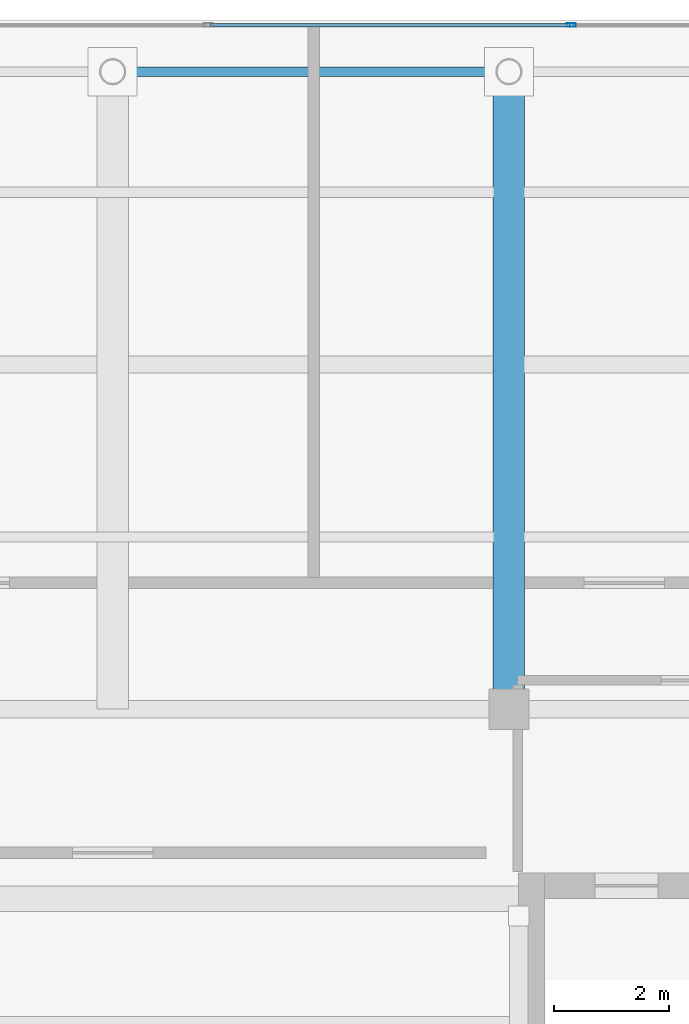
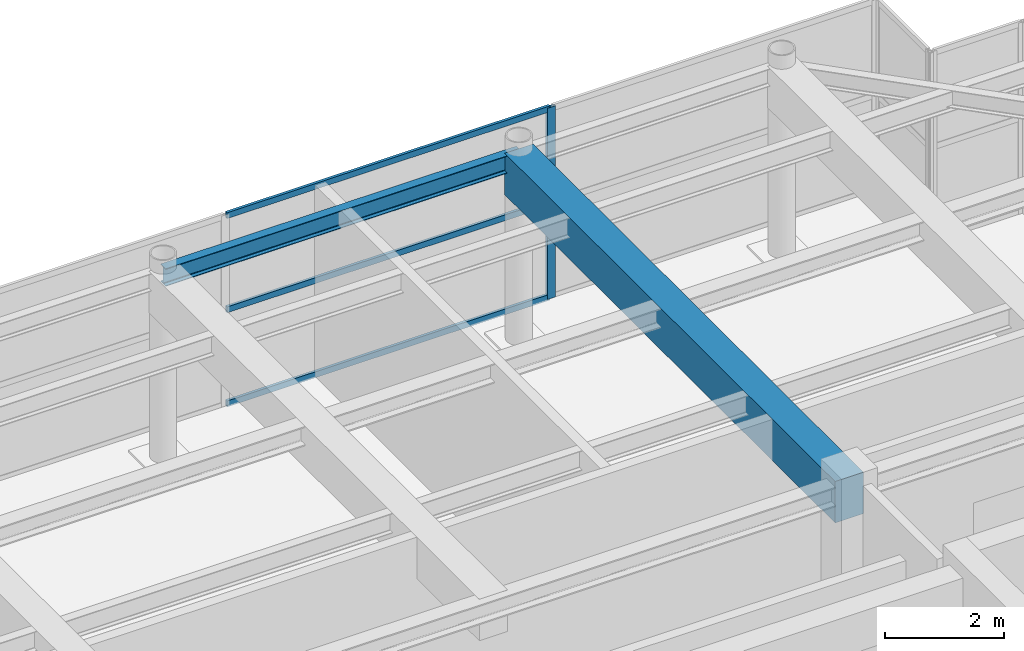
# One storey, part 25 of 32: 4 members, 2 beams, 1 element without a shape of its own.
"""IFC4 building model written with IfcOpenShell, lengths in metres."""

import ifcopenshell
import ifcopenshell.guid

model = None  # the IFC model being written
_history = None  # IfcOwnerHistory: only IFC2X3 demands one
_inside = {}  # id of a spatial element -> (the spatial element, [elements in it])
_under = {}  # id of a project, library or spatial element -> (it, [spatial elements below it])
_declared = {}  # id of a project -> (the project, [libraries it declares])
_typed = {}  # id of a type object -> (the type object, [elements of that type])
_made_of = {}  # id of a material, layer set ... -> (it, [elements and type objects made of it])


def new_model(schema):
    """Start an empty IFC model of exactly this schema.

    Asked for "IFC4X3", IfcOpenShell would pick the latest addendum, in which some entities
    have other attributes; the version numbers below select the first issue.
    IFC2X3 requires an IfcOwnerHistory on every rooted entity: one is made here for all.
    """
    global model, _history
    if schema == "IFC4X3":
        model = ifcopenshell.file(schema_version=(4, 3, 0, 0))
    else:
        model = ifcopenshell.file(schema=schema)
    _inside.clear()
    _under.clear()
    _declared.clear()
    _typed.clear()
    _made_of.clear()
    _history = None
    if model.schema == "IFC2X3":
        org = make("IfcOrganization", Name="unknown")
        user = make(
            "IfcPersonAndOrganization",
            ThePerson=make("IfcPerson", FamilyName="unknown"),
            TheOrganization=org,
        )
        app = make(
            "IfcApplication",
            ApplicationDeveloper=org,
            Version="unknown",
            ApplicationFullName="unknown",
            ApplicationIdentifier="unknown",
        )
        _history = make(
            "IfcOwnerHistory",
            OwningUser=user,
            OwningApplication=app,
            ChangeAction="ADDED",
            CreationDate=0,
        )
    return model


def make(cls, **values):
    """One entity of the class cls with the attributes given. An attribute that is None is left unset."""
    return model.create_entity(
        cls, **{name: value for name, value in values.items() if value is not None}
    )


def rooted(cls, **values):
    """An entity with a GlobalId (a new one), such as an element, a storey or a relation."""
    return make(cls, GlobalId=ifcopenshell.guid.new(), OwnerHistory=_history, **values)


def si_unit(unit_type, name, prefix=None):
    """IfcSIUnit, for example si_unit("LENGTHUNIT", "METRE", prefix="MILLI")."""
    return make("IfcSIUnit", UnitType=unit_type, Prefix=prefix, Name=name)


def assignment(units):
    """IfcUnitAssignment: the units of a project."""
    return None if units is None else make("IfcUnitAssignment", Units=units)


def point(xyz):
    """IfcCartesianPoint."""
    return None if xyz is None else make("IfcCartesianPoint", Coordinates=xyz)


def direction(xyz):
    """IfcDirection."""
    return None if xyz is None else make("IfcDirection", DirectionRatios=xyz)


def frame(location, z_axis=None, x_axis=None):
    """IfcAxis2Placement3D, a coordinate frame: its origin and axes. An axis left out is left unset."""
    return make(
        "IfcAxis2Placement3D",
        Location=point(location),
        Axis=direction(z_axis),
        RefDirection=direction(x_axis),
    )


def frame_2d(location, x_axis=None):
    """IfcAxis2Placement2D, a coordinate frame in the plane: its origin and x axis."""
    return make(
        "IfcAxis2Placement2D", Location=point(location), RefDirection=direction(x_axis)
    )


def origin():
    """The frame at (0, 0, 0) with its axes left unset."""
    return frame((0.0, 0.0, 0.0))


def origin_2d():
    """The frame at (0, 0) in the plane with its x axis left unset."""
    return frame_2d((0.0, 0.0))


def place(relative_to, where):
    """IfcLocalPlacement: puts the frame where relative to a parent placement (None: the world)."""
    return make(
        "IfcLocalPlacement", PlacementRelTo=relative_to, RelativePlacement=where
    )


def context(
    kind, dimensions, precision=None, world=None, true_north=None, identifier=None
):
    """IfcGeometricRepresentationContext, for example the 3D "Model" context."""
    return make(
        "IfcGeometricRepresentationContext",
        ContextIdentifier=identifier,
        ContextType=kind,
        CoordinateSpaceDimension=dimensions,
        Precision=precision,
        WorldCoordinateSystem=world,
        TrueNorth=true_north,
    )


def subcontext(parent, identifier, kind, view, scale=None):
    """IfcGeometricRepresentationSubContext, for example "Body" below "Model"."""
    return make(
        "IfcGeometricRepresentationSubContext",
        ContextIdentifier=identifier,
        ContextType=kind,
        ParentContext=parent,
        TargetScale=scale,
        TargetView=view,
    )


def project(units=None, contexts=None):
    """IfcProject with its units and contexts."""
    return rooted(
        "IfcProject",
        Name="project",
        RepresentationContexts=contexts,
        UnitsInContext=assignment(units),
    )


def spatial(cls, under=None, at=None, **own):
    """A site, building, storey or space (cls), placed at a placement, below another one or the project."""
    s = rooted(cls, ObjectPlacement=at, **own)
    if under is not None:
        _under.setdefault(under.id(), (under, []))[1].append(s)
    return s


def profile(cls, at=None, kind="AREA", **sizes):
    """A parametric profile (cls). Its sizes go by their IFC names, for example OverallWidth=200.0."""
    return make(cls, ProfileType=kind, Position=at, **sizes)


def rectangle(**sizes):
    """IfcRectangleProfileDef."""
    return profile("IfcRectangleProfileDef", **sizes)


def hollow_rectangle(**sizes):
    """IfcRectangleHollowProfileDef."""
    return profile("IfcRectangleHollowProfileDef", **sizes)


def i_section(**sizes):
    """IfcIShapeProfileDef."""
    return profile("IfcIShapeProfileDef", **sizes)


def extrude(swept, where, along, depth):
    """IfcExtrudedAreaSolid: the profile swept, set in the frame where, extruded along a direction by depth."""
    return make(
        "IfcExtrudedAreaSolid",
        SweptArea=swept,
        Position=where,
        ExtrudedDirection=direction(along),
        Depth=depth,
    )


def shape(context_of_items, identifier, shape_type, items):
    """IfcShapeRepresentation: the items that make up one representation, for example the "Body"."""
    return make(
        "IfcShapeRepresentation",
        ContextOfItems=context_of_items,
        RepresentationIdentifier=identifier,
        RepresentationType=shape_type,
        Items=items,
    )


def source(mapping_origin, context_of_items, identifier, shape_type, items):
    """IfcRepresentationMap: a shape defined once, which mapped items show again and again."""
    return make(
        "IfcRepresentationMap",
        MappingOrigin=mapping_origin,
        MappedRepresentation=shape(context_of_items, identifier, shape_type, items),
    )


def transform(
    local_origin,
    x_axis=None,
    y_axis=None,
    z_axis=None,
    scale=None,
    scale2=None,
    scale3=None,
    uniform=True,
):
    """IfcCartesianTransformationOperator3D, or its non-uniform kind. x_axis, y_axis, z_axis: its Axis1, 2, 3."""
    if uniform:
        return make(
            "IfcCartesianTransformationOperator3D",
            Axis1=direction(x_axis),
            Axis2=direction(y_axis),
            LocalOrigin=point(local_origin),
            Scale=scale,
            Axis3=direction(z_axis),
        )
    return make(
        "IfcCartesianTransformationOperator3DnonUniform",
        Axis1=direction(x_axis),
        Axis2=direction(y_axis),
        LocalOrigin=point(local_origin),
        Scale=scale,
        Axis3=direction(z_axis),
        Scale2=scale2,
        Scale3=scale3,
    )


def mapped(mapping_source, mapping_target):
    """IfcMappedItem: shows the shape of a source again, moved by a transform."""
    return make(
        "IfcMappedItem", MappingSource=mapping_source, MappingTarget=mapping_target
    )


def material(Name=None, Category=None):
    """IfcMaterial."""
    return make("IfcMaterial", Name=Name, Category=Category)


def layer(
    of_material, thickness, ventilated=None, Name=None, Category=None, Priority=None
):
    """IfcMaterialLayer: one layer of a wall or slab, of a material (None: an air gap)."""
    return make(
        "IfcMaterialLayer",
        Material=of_material,
        LayerThickness=thickness,
        IsVentilated=ventilated,
        Name=Name,
        Category=Category,
        Priority=Priority,
    )


def layer_set(layers, Name=None):
    """IfcMaterialLayerSet."""
    return make("IfcMaterialLayerSet", MaterialLayers=layers, LayerSetName=Name)


def material_profile(
    of_material, cross_section, Name=None, Category=None, Priority=None
):
    """IfcMaterialProfile: a cross section and its material."""
    return make(
        "IfcMaterialProfile",
        Name=Name,
        Material=of_material,
        Profile=cross_section,
        Priority=Priority,
        Category=Category,
    )


def profile_set(profiles, Name=None, composite=None):
    """IfcMaterialProfileSet."""
    return make(
        "IfcMaterialProfileSet",
        Name=Name,
        MaterialProfiles=profiles,
        CompositeProfile=composite,
    )


def made_of(thing, what):
    """Note that an element or type object is made of a material, layer set ...; save() writes the relation."""
    if what is not None:
        _made_of.setdefault(what.id(), (what, []))[1].append(thing)
    return thing


def type_object(cls, material=None, **own):
    """A type object (cls), such as IfcWallType, which elements share."""
    return made_of(rooted(cls, **own), material)


def element(
    cls,
    number,
    at=None,
    inside=None,
    cuts=None,
    type_object=None,
    material=None,
    context=None,
    identifier="Body",
    shape_type=None,
    held_by="IfcProductDefinitionShape",
    body=None,
    shapes=None,
    **own,
):
    """One element of the class cls, such as IfcWall. Its Tag is "e" and its number.

    at: its placement. inside: the storey or other place that contains it. cuts: it is an
    opening in that element (IfcRelVoidsElement). A single representation is given by context,
    identifier, shape_type and body (its items); several are given by shapes. held_by: the class
    of the entity that holds the representations. save() writes the other relations.
    """
    e = rooted(cls, Tag="e%d" % number, ObjectPlacement=at, **own)
    if body is not None:
        shapes = [shape(context, identifier, shape_type, body)]
    if shapes is not None:
        e.Representation = make(held_by, Representations=shapes)
    if inside is not None:
        _inside.setdefault(inside.id(), (inside, []))[1].append(e)
    if cuts is not None:
        rooted(
            "IfcRelVoidsElement", RelatingBuildingElement=cuts, RelatedOpeningElement=e
        )
    if type_object is not None:
        _typed.setdefault(type_object.id(), (type_object, []))[1].append(e)
    return made_of(e, material)


def aggregate(whole, parts):
    """IfcRelAggregates: a whole, such as a stair, and the parts it consists of."""
    return rooted("IfcRelAggregates", RelatingObject=whole, RelatedObjects=parts)


def save(model, path):
    """Write the relations noted so far, then the file.

    IfcRelAggregates (storeys below a building ...), IfcRelContainedInSpatialStructure (elements
    in a storey), IfcRelDefinesByType, IfcRelAssociatesMaterial and IfcRelDeclares: one each for
    every whole, place, type object, material and project.
    """
    for whole, parts in _under.values():
        aggregate(whole, parts)
    for where, things in _inside.values():
        rooted(
            "IfcRelContainedInSpatialStructure",
            RelatedElements=things,
            RelatingStructure=where,
        )
    for kind, things in _typed.values():
        rooted("IfcRelDefinesByType", RelatedObjects=things, RelatingType=kind)
    for what, things in _made_of.values():
        rooted("IfcRelAssociatesMaterial", RelatedObjects=things, RelatingMaterial=what)
    for by, libraries in _declared.values():
        rooted("IfcRelDeclares", RelatingContext=by, RelatedDefinitions=libraries)
    model.write(path)


model = new_model("IFC4")

# Units and contexts
model_context = context("Model", 3, precision=1e-05, world=origin(), true_north=direction((0.0, 1.0)))
body_context = subcontext(model_context, "Body", "Model", "MODEL_VIEW")
ifc_project = project(units=[si_unit("LENGTHUNIT", "METRE"), si_unit("AREAUNIT", "SQUARE_METRE"), si_unit("VOLUMEUNIT", "CUBIC_METRE"), si_unit("PLANEANGLEUNIT", "RADIAN"), si_unit("MASSUNIT", "GRAM", prefix="KILO")], contexts=[model_context])

# Site, building, storey
site_placement = place(None, origin())
site = spatial("IfcSite", under=ifc_project, at=site_placement, CompositionType="ELEMENT")
building_placement = place(site_placement, origin())
building = spatial("IfcBuilding", under=site, at=building_placement, Name="Khoralis Quay Care Tower", CompositionType="ELEMENT")
storey_placement = place(building_placement, frame((0.0, 0.0, 293.699951171875)))
storey = spatial("IfcBuildingStorey", under=building, at=storey_placement, Name="L77", CompositionType="ELEMENT", Elevation=293.699951171875)

# Beams
ifc_material_1 = material(Name="Concrete C50/60", Category="concrete")
ifc_material_profile_1 = material_profile(ifc_material_1, rectangle(XDim=0.550048828125, YDim=0.85009765625, at=origin_2d()), Name="Concrete C50/60")
ifc_profile_set_1 = profile_set([ifc_material_profile_1], Name="Concrete C50/60")
beam_type_1 = type_object("IfcBeamType", Name="BM-RC550X850", PredefinedType="BEAM", material=ifc_profile_set_1)
shared_shape_1 = source(origin(), body_context, "Body", "SweptSolid", [
    extrude(rectangle(XDim=0.550048828125, YDim=0.85009765625, at=origin_2d()), origin(), (0.0, 0.0, 1.0), 11.10009765625),
])
beam_1_placement = place(storey_placement, frame((30.89990234375, 30.0, 3.4951171875), z_axis=(0.0, 1.0, 0.0), x_axis=(-1.0, 0.0, 0.0)))
element("IfcBeam", 1, at=beam_1_placement, inside=storey, type_object=beam_type_1, Name="BM-TGYN-L77-309", PredefinedType="BEAM", context=body_context, shape_type="MappedRepresentation", body=[
    mapped(shared_shape_1, transform((0.0, 0.0, 0.0), scale=1.0)),
])
ifc_material_2 = material(Name="Steel S355", Category="steel")
ifc_material_profile_2 = material_profile(ifc_material_2, i_section(OverallWidth=0.169921875, OverallDepth=0.360107421875, WebThickness=0.008056640625, FlangeThickness=0.0126953125, FilletRadius=0.01806640625, at=origin_2d()), Name="Steel S355")
ifc_profile_set_2 = profile_set([ifc_material_profile_2], Name="Steel S355")
beam_type_2 = type_object("IfcBeamType", Name="BM-IPE360", PredefinedType="SPANDREL", material=ifc_profile_set_2)
shared_shape_2 = source(origin(), body_context, "Body", "SweptSolid", [
    extrude(i_section(OverallWidth=0.169921875, OverallDepth=0.360107421875, WebThickness=0.008056640625, FlangeThickness=0.0126953125, FilletRadius=0.01806640625, at=origin_2d()), origin(), (0.0, 0.0, 1.0), 6.89990234375),
])
beam_2_placement = place(storey_placement, frame((24.0, 41.10009765625, 3.739990234375), z_axis=(1.0, 0.0, 0.0), x_axis=(0.0, 1.0, 0.0)))
element("IfcBeam", 2, at=beam_2_placement, inside=storey, type_object=beam_type_2, Name="BM-TSP-L77-07", PredefinedType="SPANDREL", context=body_context, shape_type="MappedRepresentation", body=[
    mapped(shared_shape_2, transform((0.0, 0.0, 0.0), scale=1.0)),
])

# Curtain wall, members
ifc_material_3 = material(Name="Pale anodised aluminium", Category="aluminium")
ifc_layer = layer(ifc_material_3, 0.199951171875)
ifc_layer_set = layer_set([ifc_layer], Name="Pale anodised aluminium")
curtain_wall_type = type_object("IfcCurtainWallType", Name="CW-SYS-LANTERN", PredefinedType="NOTDEFINED", material=ifc_layer_set)
curtain_wall_placement = place(storey_placement, origin())
curtain_wall = element("IfcCurtainWall", 3, at=curtain_wall_placement, inside=storey, type_object=curtain_wall_type, Name="L77 Unitised Curtain Wall CW-LN-L77-11", PredefinedType="NOTDEFINED")
ifc_material_profile_3 = material_profile(ifc_material_3, hollow_rectangle(XDim=0.06005859375, YDim=0.159912109375, WallThickness=0.00390625, at=origin_2d()), Name="Pale anodised aluminium")
ifc_profile_set_3 = profile_set([ifc_material_profile_3], Name="Pale anodised aluminium")
member_type_1 = type_object("IfcMemberType", Name="CW-MUL-160", PredefinedType="MULLION", material=ifc_profile_set_3)
shared_shape_3 = source(origin(), body_context, "Body", "SweptSolid", [
    extrude(hollow_rectangle(XDim=0.06005859375, YDim=0.159912109375, WallThickness=0.00390625, at=origin_2d()), origin(), (0.0, 0.0, 1.0), 3.920166015625),
])
member_1_placement = place(storey_placement, frame((31.986083984375, 41.909912109375, 0.0), z_axis=(0.0, 0.0, 1.0), x_axis=(0.0, -1.0, 0.0)))
member_1 = element("IfcMember", 4, at=member_1_placement, type_object=member_type_1, Name="CW5 mullion 2", PredefinedType="MULLION", context=body_context, shape_type="MappedRepresentation", body=[
    mapped(shared_shape_3, transform((0.0, 0.0, 0.0), scale=1.0)),
])
ifc_material_profile_4 = material_profile(ifc_material_3, hollow_rectangle(XDim=0.054931640625, YDim=0.1201171875, WallThickness=0.00390625, at=origin_2d()), Name="Pale anodised aluminium")
ifc_profile_set_4 = profile_set([ifc_material_profile_4], Name="Pale anodised aluminium")
member_type_2 = type_object("IfcMemberType", Name="CW-TRN-120", PredefinedType="USERDEFINED", material=ifc_profile_set_4)
shared_shape_4 = source(origin(), body_context, "Body", "SweptSolid", [
    extrude(hollow_rectangle(XDim=0.054931640625, YDim=0.1201171875, WallThickness=0.00390625, at=origin_2d()), origin(), (0.0, 0.0, 1.0), 6.26416015625),
])
member_2_placement = place(storey_placement, frame((31.9560546875, 41.909912109375, 0.030029296875), z_axis=(-1.0, 0.0, 0.0), x_axis=(0.0, -1.0, 0.0)))
member_2 = element("IfcMember", 5, at=member_2_placement, type_object=member_type_2, Name="CW5 transom 2.1", ObjectType="TRANSOM", PredefinedType="USERDEFINED", context=body_context, shape_type="MappedRepresentation", body=[
    mapped(shared_shape_4, transform((0.0, 0.0, 0.0), scale=1.0)),
])
member_3_placement = place(storey_placement, frame((31.9560546875, 41.909912109375, 1.9599609375), z_axis=(-1.0, 0.0, 0.0), x_axis=(0.0, -1.0, 0.0)))
member_3 = element("IfcMember", 6, at=member_3_placement, type_object=member_type_2, Name="CW5 transom 2.2", ObjectType="TRANSOM", PredefinedType="USERDEFINED", context=body_context, shape_type="MappedRepresentation", body=[
    mapped(shared_shape_4, transform((0.0, 0.0, 0.0), scale=1.0)),
])
member_4_placement = place(storey_placement, frame((31.9560546875, 41.909912109375, 3.89013671875), z_axis=(-1.0, 0.0, 0.0), x_axis=(0.0, -1.0, 0.0)))
member_4 = element("IfcMember", 7, at=member_4_placement, type_object=member_type_2, Name="CW5 transom 2.3", ObjectType="TRANSOM", PredefinedType="USERDEFINED", context=body_context, shape_type="MappedRepresentation", body=[
    mapped(shared_shape_4, transform((0.0, 0.0, 0.0), scale=1.0)),
])
aggregate(curtain_wall, [member_1, member_2, member_3, member_4])

save(model, "model.ifc")
